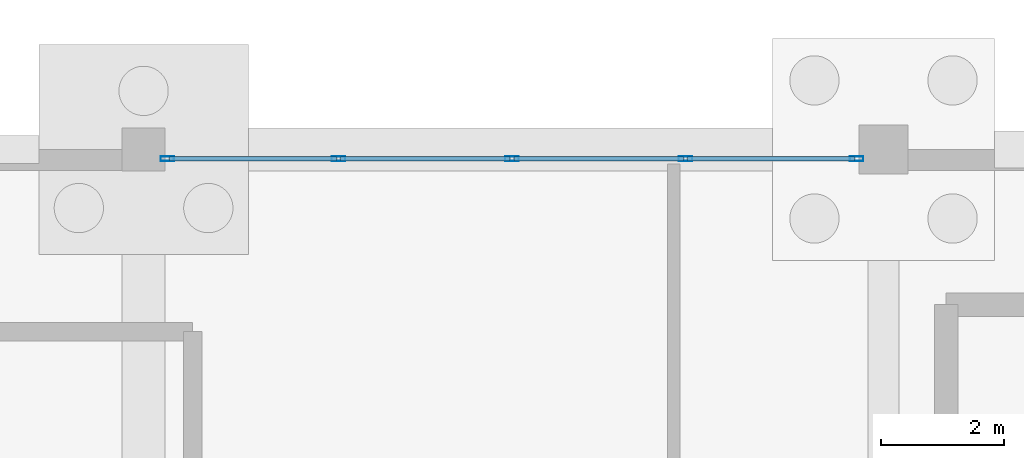
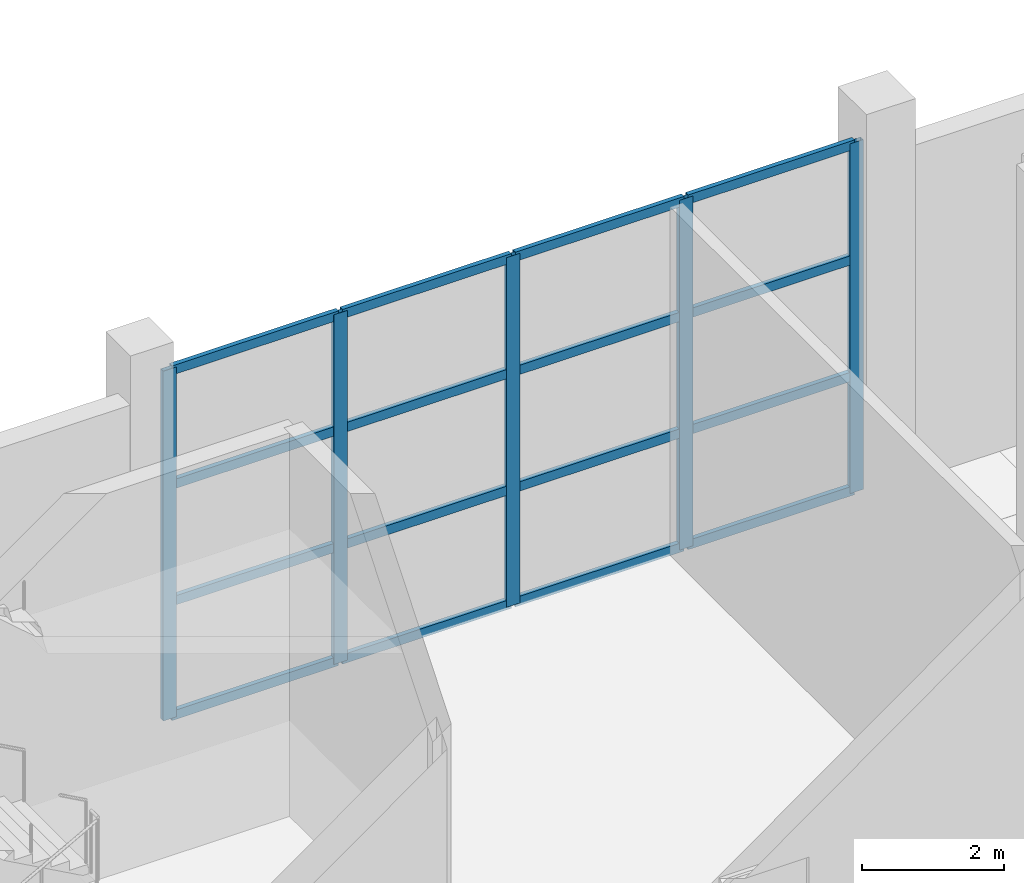
# One storey, part 71 of 115: 21 members, 1 element without a shape of its own.
"""IFC4 building model written with IfcOpenShell, lengths in metres."""

from ifc_helpers import new_model, si_unit, direction, frame, origin, origin_2d, place, context, subcontext, project, spatial, hollow_rectangle, extrude, material, layer, layer_set, material_profile, profile_set, type_object, element, aggregate, save


model = new_model("IFC4")

# Units and contexts
model_context = context("Model", 3, precision=1e-05, world=origin(), true_north=direction((0.0, 1.0)))
body_context = subcontext(model_context, "Body", "Model", "MODEL_VIEW")
ifc_project = project(units=[si_unit("LENGTHUNIT", "METRE"), si_unit("AREAUNIT", "SQUARE_METRE"), si_unit("VOLUMEUNIT", "CUBIC_METRE"), si_unit("PLANEANGLEUNIT", "RADIAN"), si_unit("MASSUNIT", "GRAM", prefix="KILO")], contexts=[model_context])

# Site, building, storey
site_placement = place(None, origin())
site = spatial("IfcSite", under=ifc_project, at=site_placement, CompositionType="ELEMENT")
building_placement = place(site_placement, origin())
building = spatial("IfcBuilding", under=site, at=building_placement, Name="Tamarisk Ironworks Central Station", CompositionType="ELEMENT")
storey_placement = place(building_placement, origin())
storey = spatial("IfcBuildingStorey", under=building, at=storey_placement, Name="L00", CompositionType="ELEMENT", Elevation=0.0)

# Curtain wall, members
ifc_material = material(Name="Anodized aluminium alloy 6063-T6", Category="aluminium")
ifc_layer = layer(ifc_material, 0.179931640625)
ifc_layer_set = layer_set([ifc_layer], Name="Anodized aluminium alloy 6063-T6")
curtain_wall_type = type_object("IfcCurtainWallType", Name="CW-15", PredefinedType="USERDEFINED", material=ifc_layer_set)
curtain_wall_placement = place(storey_placement, origin())
curtain_wall = element("IfcCurtainWall", 1, at=curtain_wall_placement, inside=storey, type_object=curtain_wall_type, Name="Operations L00 north facade curtain wall 128", ObjectType="GLAZED CURTAIN WALL", PredefinedType="USERDEFINED")
ifc_material_profile_1 = material_profile(ifc_material, hollow_rectangle(XDim=0.074951171875, YDim=0.219970703125, WallThickness=0.00390625, at=origin_2d()), Name="ALUM 220x75")
ifc_profile_set_1 = profile_set([ifc_material_profile_1], Name="Anodized aluminium alloy 6063-T6")
member_type_1 = type_object("IfcMemberType", Name="CWM-01", PredefinedType="MULLION", material=ifc_profile_set_1)
member_1_placement = place(storey_placement, frame((128.385498046875, 122.25, 0.0), z_axis=(0.0, 0.0, 1.0), x_axis=(0.0, 1.0, 0.0)))
member_1 = element("IfcMember", 2, at=member_1_placement, type_object=member_type_1, Name="CW15 mullion 1", PredefinedType="MULLION", context=body_context, shape_type="SweptSolid", body=[
    extrude(hollow_rectangle(XDim=0.074951171875, YDim=0.219970703125, WallThickness=0.00390625, at=origin_2d()), origin(), (0.0, 0.0, 1.0), 6.02001953125),
])
member_2_placement = place(storey_placement, frame((131.16162109375, 122.25, 0.0), z_axis=(0.0, 0.0, 1.0), x_axis=(0.0, 1.0, 0.0)))
member_2 = element("IfcMember", 3, at=member_2_placement, type_object=member_type_1, Name="CW15 mullion 2", PredefinedType="MULLION", context=body_context, shape_type="SweptSolid", body=[
    extrude(hollow_rectangle(XDim=0.074951171875, YDim=0.219970703125, WallThickness=0.00390625, at=origin_2d()), origin(), (0.0, 0.0, 1.0), 6.02001953125),
])
member_3_placement = place(storey_placement, frame((133.97509765625, 122.25, 0.0), z_axis=(0.0, 0.0, 1.0), x_axis=(0.0, 1.0, 0.0)))
member_3 = element("IfcMember", 4, at=member_3_placement, type_object=member_type_1, Name="CW15 mullion 3", PredefinedType="MULLION", context=body_context, shape_type="SweptSolid", body=[
    extrude(hollow_rectangle(XDim=0.074951171875, YDim=0.219970703125, WallThickness=0.00390625, at=origin_2d()), origin(), (0.0, 0.0, 1.0), 6.02001953125),
])
member_4_placement = place(storey_placement, frame((136.78857421875, 122.25, 0.0), z_axis=(0.0, 0.0, 1.0), x_axis=(0.0, 1.0, 0.0)))
member_4 = element("IfcMember", 5, at=member_4_placement, type_object=member_type_1, Name="CW15 mullion 4", PredefinedType="MULLION", context=body_context, shape_type="SweptSolid", body=[
    extrude(hollow_rectangle(XDim=0.074951171875, YDim=0.219970703125, WallThickness=0.00390625, at=origin_2d()), origin(), (0.0, 0.0, 1.0), 6.02001953125),
])
member_5_placement = place(storey_placement, frame((139.564453125, 122.25, 0.0), z_axis=(0.0, 0.0, 1.0), x_axis=(0.0, 1.0, 0.0)))
member_5 = element("IfcMember", 6, at=member_5_placement, type_object=member_type_1, Name="CW15 mullion 5", PredefinedType="MULLION", context=body_context, shape_type="SweptSolid", body=[
    extrude(hollow_rectangle(XDim=0.074951171875, YDim=0.219970703125, WallThickness=0.00390625, at=origin_2d()), origin(), (0.0, 0.0, 1.0), 6.02001953125),
])
ifc_material_profile_2 = material_profile(ifc_material, hollow_rectangle(XDim=0.074951171875, YDim=0.159912109375, WallThickness=0.00390625, at=origin_2d()), Name="ALUM 160x75")
ifc_profile_set_2 = profile_set([ifc_material_profile_2], Name="Anodized aluminium alloy 6063-T6")
member_type_2 = type_object("IfcMemberType", Name="CWT-01", PredefinedType="USERDEFINED", material=ifc_profile_set_2)
member_6_placement = place(storey_placement, frame((128.4189453125, 122.25, 0.03759765625), z_axis=(1.0, 0.0, 0.0), x_axis=(0.0, 1.0, 0.0)))
member_6 = element("IfcMember", 7, at=member_6_placement, type_object=member_type_2, Name="CW15 transom 1.1", ObjectType="TRANSOM", PredefinedType="USERDEFINED", context=body_context, shape_type="SweptSolid", body=[
    extrude(hollow_rectangle(XDim=0.074951171875, YDim=0.159912109375, WallThickness=0.00390625, at=origin_2d()), origin(), (0.0, 0.0, 1.0), 2.708984375),
])
member_7_placement = place(storey_placement, frame((128.4189453125, 122.25, 2.006591796875), z_axis=(1.0, 0.0, 0.0), x_axis=(0.0, 1.0, 0.0)))
member_7 = element("IfcMember", 8, at=member_7_placement, type_object=member_type_2, Name="CW15 transom 1.2", ObjectType="TRANSOM", PredefinedType="USERDEFINED", context=body_context, shape_type="SweptSolid", body=[
    extrude(hollow_rectangle(XDim=0.074951171875, YDim=0.159912109375, WallThickness=0.00390625, at=origin_2d()), origin(), (0.0, 0.0, 1.0), 2.708984375),
])
member_8_placement = place(storey_placement, frame((128.4189453125, 122.25, 4.01318359375), z_axis=(1.0, 0.0, 0.0), x_axis=(0.0, 1.0, 0.0)))
member_8 = element("IfcMember", 9, at=member_8_placement, type_object=member_type_2, Name="CW15 transom 1.3", ObjectType="TRANSOM", PredefinedType="USERDEFINED", context=body_context, shape_type="SweptSolid", body=[
    extrude(hollow_rectangle(XDim=0.074951171875, YDim=0.159912109375, WallThickness=0.00390625, at=origin_2d()), origin(), (0.0, 0.0, 1.0), 2.708984375),
])
member_9_placement = place(storey_placement, frame((128.4189453125, 122.25, 5.982421875), z_axis=(1.0, 0.0, 0.0), x_axis=(0.0, 1.0, 0.0)))
member_9 = element("IfcMember", 10, at=member_9_placement, type_object=member_type_2, Name="CW15 transom 1.4", ObjectType="TRANSOM", PredefinedType="USERDEFINED", context=body_context, shape_type="SweptSolid", body=[
    extrude(hollow_rectangle(XDim=0.074951171875, YDim=0.159912109375, WallThickness=0.00390625, at=origin_2d()), origin(), (0.0, 0.0, 1.0), 2.708984375),
])
member_10_placement = place(storey_placement, frame((131.195068359375, 122.25, 0.03759765625), z_axis=(1.0, 0.0, 0.0), x_axis=(0.0, 1.0, 0.0)))
member_10 = element("IfcMember", 11, at=member_10_placement, type_object=member_type_2, Name="CW15 transom 2.1", ObjectType="TRANSOM", PredefinedType="USERDEFINED", context=body_context, shape_type="SweptSolid", body=[
    extrude(hollow_rectangle(XDim=0.074951171875, YDim=0.159912109375, WallThickness=0.00390625, at=origin_2d()), origin(), (0.0, 0.0, 1.0), 2.746337890625),
])
member_11_placement = place(storey_placement, frame((131.195068359375, 122.25, 2.006591796875), z_axis=(1.0, 0.0, 0.0), x_axis=(0.0, 1.0, 0.0)))
member_11 = element("IfcMember", 12, at=member_11_placement, type_object=member_type_2, Name="CW15 transom 2.2", ObjectType="TRANSOM", PredefinedType="USERDEFINED", context=body_context, shape_type="SweptSolid", body=[
    extrude(hollow_rectangle(XDim=0.074951171875, YDim=0.159912109375, WallThickness=0.00390625, at=origin_2d()), origin(), (0.0, 0.0, 1.0), 2.746337890625),
])
member_12_placement = place(storey_placement, frame((131.195068359375, 122.25, 4.01318359375), z_axis=(1.0, 0.0, 0.0), x_axis=(0.0, 1.0, 0.0)))
member_12 = element("IfcMember", 13, at=member_12_placement, type_object=member_type_2, Name="CW15 transom 2.3", ObjectType="TRANSOM", PredefinedType="USERDEFINED", context=body_context, shape_type="SweptSolid", body=[
    extrude(hollow_rectangle(XDim=0.074951171875, YDim=0.159912109375, WallThickness=0.00390625, at=origin_2d()), origin(), (0.0, 0.0, 1.0), 2.746337890625),
])
member_13_placement = place(storey_placement, frame((131.195068359375, 122.25, 5.982421875), z_axis=(1.0, 0.0, 0.0), x_axis=(0.0, 1.0, 0.0)))
member_13 = element("IfcMember", 14, at=member_13_placement, type_object=member_type_2, Name="CW15 transom 2.4", ObjectType="TRANSOM", PredefinedType="USERDEFINED", context=body_context, shape_type="SweptSolid", body=[
    extrude(hollow_rectangle(XDim=0.074951171875, YDim=0.159912109375, WallThickness=0.00390625, at=origin_2d()), origin(), (0.0, 0.0, 1.0), 2.746337890625),
])
member_14_placement = place(storey_placement, frame((134.008544921875, 122.25, 0.03759765625), z_axis=(1.0, 0.0, 0.0), x_axis=(0.0, 1.0, 0.0)))
member_14 = element("IfcMember", 15, at=member_14_placement, type_object=member_type_2, Name="CW15 transom 3.1", ObjectType="TRANSOM", PredefinedType="USERDEFINED", context=body_context, shape_type="SweptSolid", body=[
    extrude(hollow_rectangle(XDim=0.074951171875, YDim=0.159912109375, WallThickness=0.00390625, at=origin_2d()), origin(), (0.0, 0.0, 1.0), 2.746337890625),
])
member_15_placement = place(storey_placement, frame((134.008544921875, 122.25, 2.006591796875), z_axis=(1.0, 0.0, 0.0), x_axis=(0.0, 1.0, 0.0)))
member_15 = element("IfcMember", 16, at=member_15_placement, type_object=member_type_2, Name="CW15 transom 3.2", ObjectType="TRANSOM", PredefinedType="USERDEFINED", context=body_context, shape_type="SweptSolid", body=[
    extrude(hollow_rectangle(XDim=0.074951171875, YDim=0.159912109375, WallThickness=0.00390625, at=origin_2d()), origin(), (0.0, 0.0, 1.0), 2.746337890625),
])
member_16_placement = place(storey_placement, frame((134.008544921875, 122.25, 4.01318359375), z_axis=(1.0, 0.0, 0.0), x_axis=(0.0, 1.0, 0.0)))
member_16 = element("IfcMember", 17, at=member_16_placement, type_object=member_type_2, Name="CW15 transom 3.3", ObjectType="TRANSOM", PredefinedType="USERDEFINED", context=body_context, shape_type="SweptSolid", body=[
    extrude(hollow_rectangle(XDim=0.074951171875, YDim=0.159912109375, WallThickness=0.00390625, at=origin_2d()), origin(), (0.0, 0.0, 1.0), 2.746337890625),
])
member_17_placement = place(storey_placement, frame((134.008544921875, 122.25, 5.982421875), z_axis=(1.0, 0.0, 0.0), x_axis=(0.0, 1.0, 0.0)))
member_17 = element("IfcMember", 18, at=member_17_placement, type_object=member_type_2, Name="CW15 transom 3.4", ObjectType="TRANSOM", PredefinedType="USERDEFINED", context=body_context, shape_type="SweptSolid", body=[
    extrude(hollow_rectangle(XDim=0.074951171875, YDim=0.159912109375, WallThickness=0.00390625, at=origin_2d()), origin(), (0.0, 0.0, 1.0), 2.746337890625),
])
member_18_placement = place(storey_placement, frame((136.822021484375, 122.25, 0.03759765625), z_axis=(1.0, 0.0, 0.0), x_axis=(0.0, 1.0, 0.0)))
member_18 = element("IfcMember", 19, at=member_18_placement, type_object=member_type_2, Name="CW15 transom 4.1", ObjectType="TRANSOM", PredefinedType="USERDEFINED", context=body_context, shape_type="SweptSolid", body=[
    extrude(hollow_rectangle(XDim=0.074951171875, YDim=0.159912109375, WallThickness=0.00390625, at=origin_2d()), origin(), (0.0, 0.0, 1.0), 2.708984375),
])
member_19_placement = place(storey_placement, frame((136.822021484375, 122.25, 2.006591796875), z_axis=(1.0, 0.0, 0.0), x_axis=(0.0, 1.0, 0.0)))
member_19 = element("IfcMember", 20, at=member_19_placement, type_object=member_type_2, Name="CW15 transom 4.2", ObjectType="TRANSOM", PredefinedType="USERDEFINED", context=body_context, shape_type="SweptSolid", body=[
    extrude(hollow_rectangle(XDim=0.074951171875, YDim=0.159912109375, WallThickness=0.00390625, at=origin_2d()), origin(), (0.0, 0.0, 1.0), 2.708984375),
])
member_20_placement = place(storey_placement, frame((136.822021484375, 122.25, 4.01318359375), z_axis=(1.0, 0.0, 0.0), x_axis=(0.0, 1.0, 0.0)))
member_20 = element("IfcMember", 21, at=member_20_placement, type_object=member_type_2, Name="CW15 transom 4.3", ObjectType="TRANSOM", PredefinedType="USERDEFINED", context=body_context, shape_type="SweptSolid", body=[
    extrude(hollow_rectangle(XDim=0.074951171875, YDim=0.159912109375, WallThickness=0.00390625, at=origin_2d()), origin(), (0.0, 0.0, 1.0), 2.708984375),
])
member_21_placement = place(storey_placement, frame((136.822021484375, 122.25, 5.982421875), z_axis=(1.0, 0.0, 0.0), x_axis=(0.0, 1.0, 0.0)))
member_21 = element("IfcMember", 22, at=member_21_placement, type_object=member_type_2, Name="CW15 transom 4.4", ObjectType="TRANSOM", PredefinedType="USERDEFINED", context=body_context, shape_type="SweptSolid", body=[
    extrude(hollow_rectangle(XDim=0.074951171875, YDim=0.159912109375, WallThickness=0.00390625, at=origin_2d()), origin(), (0.0, 0.0, 1.0), 2.708984375),
])
aggregate(curtain_wall, [member_1, member_2, member_3, member_4, member_5, member_6, member_7, member_8, member_9, member_10, member_11, member_12, member_13, member_14, member_15, member_16, member_17, member_18, member_19, member_20, member_21])

save(model, "model.ifc")
